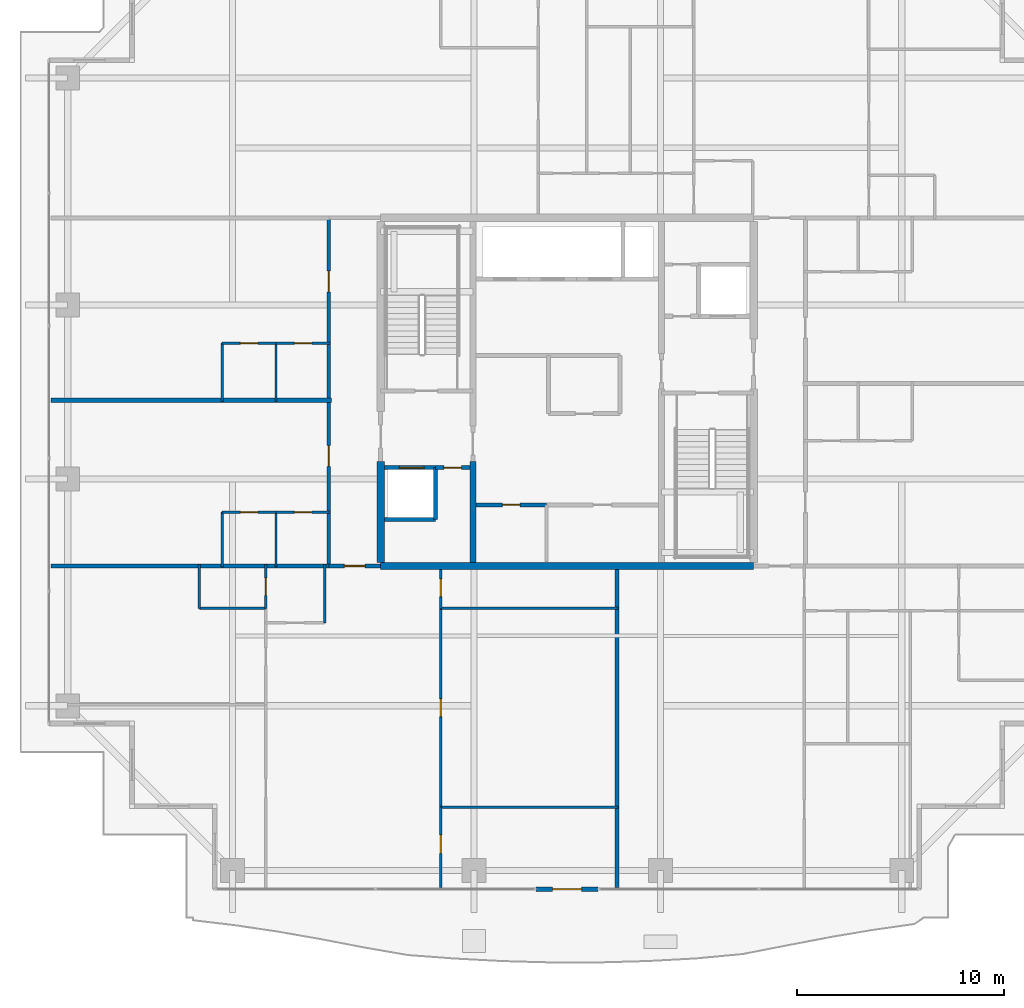
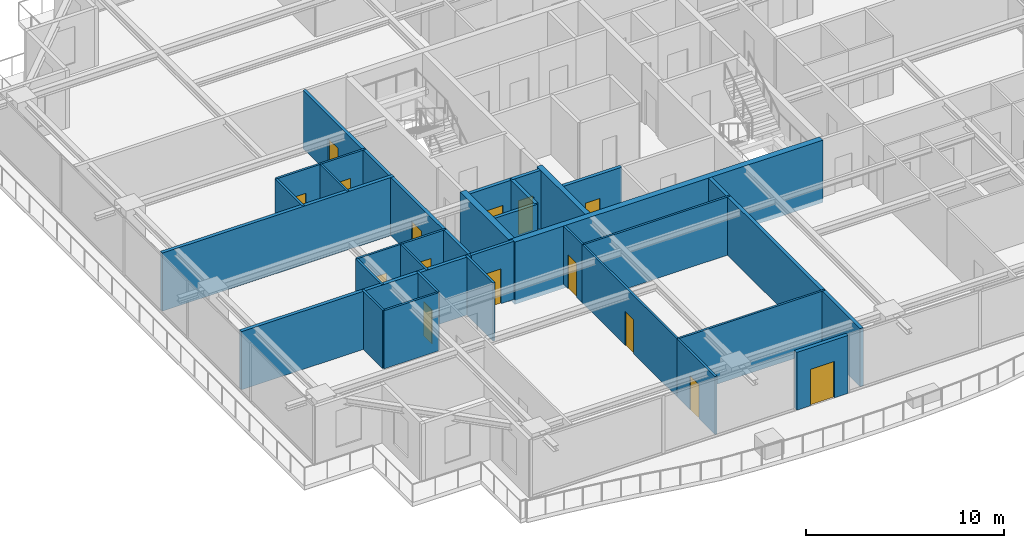
# One storey, part 26 of 37: 31 walls, 15 doors, 15 openings.
"""IFC4 building model written with IfcOpenShell, lengths in metres."""

from ifc_helpers import new_model, si_unit, direction, frame, frame_2d, origin, place, context, subcontext, project, spatial, rectangle, extrude, source, transform, mapped, material, layer, layer_set, type_object, element, fill, save


model = new_model("IFC4")

# Units and contexts
model_context = context("Model", 3, precision=1e-05, world=origin(), true_north=direction((0.0, 1.0)))
body_context = subcontext(model_context, "Body", "Model", "MODEL_VIEW")
ifc_project = project(units=[si_unit("LENGTHUNIT", "METRE"), si_unit("AREAUNIT", "SQUARE_METRE"), si_unit("VOLUMEUNIT", "CUBIC_METRE"), si_unit("PLANEANGLEUNIT", "RADIAN"), si_unit("MASSUNIT", "GRAM", prefix="KILO")], contexts=[model_context])

# Site, building, storey
site_placement = place(None, origin())
site = spatial("IfcSite", under=ifc_project, at=site_placement, CompositionType="ELEMENT")
building_placement = place(site_placement, origin())
building = spatial("IfcBuilding", under=site, at=building_placement, Name="Serunith Strait Residences", CompositionType="ELEMENT")
storey_placement = place(building_placement, frame((0.0, 0.0, 260.5)))
storey = spatial("IfcBuildingStorey", under=building, at=storey_placement, Name="L65", CompositionType="ELEMENT", Elevation=260.5)

# Wall, opening, door
ifc_material_1 = material(Name="Pale-Champagne Aluminium Insulated Panel", Category="aluminium")
ifc_layer_1 = layer(ifc_material_1, 0.219970703125, Name="Pale-Champagne Aluminium Insulated Panel")
ifc_layer_set_1 = layer_set([ifc_layer_1], Name="Pale-Champagne Aluminium Insulated Panel")
wall_type_1 = type_object("IfcWallType", Name="EW-ALUM-220", PredefinedType="ELEMENTEDWALL", material=ifc_layer_set_1)
wall_1_placement = place(storey_placement, frame((30.89990234375, 1.199951171875, 0.0), z_axis=(0.0, 0.0, 1.0), x_axis=(1.0, 0.0, 0.0)))
wall_1 = element("IfcWall", 1, at=wall_1_placement, inside=storey, type_object=wall_type_1, Name="L65 S Facade Pier Wall", PredefinedType="ELEMENTEDWALL", context=body_context, shape_type="SweptSolid", body=[
    extrude(rectangle(XDim=3.0, YDim=0.219970703125, at=frame_2d((1.5, 0.0))), origin(), (0.0, 0.0, 1.0), 3.574951171875),
])
opening_1_placement = place(wall_1_placement, frame((0.800048828125, 0.0, 0.0)))
opening_1 = element("IfcOpeningElement", 2, at=opening_1_placement, cuts=wall_1, Name="Opening ED-04", PredefinedType="OPENING", context=body_context, shape_type="SweptSolid", body=[
    extrude(rectangle(XDim=1.39990234375, YDim=2.25, at=frame_2d((0.699951171875, 1.125))), frame((0.0, 0.1201171875, 0.0), z_axis=(0.0, -1.0, 0.0), x_axis=(1.0, 0.0, 0.0)), (0.0, 0.0, 1.0), 0.239990234375),
])
ifc_material_2 = material(Name="Thermally-Broken Aluminium Sliding Balcony Door", Category="aluminium")
door_type_1 = type_object("IfcDoorType", Name="ED-BALC-1400", OperationType="NOTDEFINED", PredefinedType="DOOR", material=ifc_material_2)
shared_shape_1 = source(origin(), body_context, "Body", "SweptSolid", [
    extrude(rectangle(XDim=1.39990234375, YDim=2.25, at=frame_2d((0.699951171875, 1.125))), frame((0.0, 0.02490234375, 0.0), z_axis=(0.0, -1.0, 0.0), x_axis=(1.0, 0.0, 0.0)), (0.0, 0.0, 1.0), 0.050048828125),
])
door_1_placement = place(opening_1_placement, origin())
door_1 = element("IfcDoor", 3, at=door_1_placement, inside=storey, type_object=door_type_1, Name="L65 S Vertical-Forest Balcony Door", OperationType="SLIDING_TO_LEFT", OverallHeight=2.25, OverallWidth=1.39990234375, PredefinedType="DOOR", context=body_context, shape_type="MappedRepresentation", body=[
    mapped(shared_shape_1, transform((0.0, 0.0, 0.0), scale=1.0)),
])
fill(opening_1, door_1)

ifc_material_3 = material(Name="Fire-rated acoustic gypsum partition")
ifc_layer_2 = layer(ifc_material_3, 0.179931640625, Name="Fire-rated acoustic gypsum partition")
ifc_layer_set_2 = layer_set([ifc_layer_2], Name="Fire-rated acoustic gypsum partition")
wall_type_2 = type_object("IfcWallType", Name="IW-CORR-180", PredefinedType="PARTITIONING", material=ifc_layer_set_2)
wall_2_placement = place(storey_placement, frame((20.902099609375, 16.800048828125, 0.0), z_axis=(0.0, 0.0, 1.0), x_axis=(1.0, 0.0, 0.0)))
wall_2 = element("IfcWall", 4, at=wall_2_placement, inside=storey, type_object=wall_type_2, Name="L65 Partition Wall 026", PredefinedType="PARTITIONING", context=body_context, shape_type="SweptSolid", body=[
    extrude(rectangle(XDim=2.495849609375, YDim=0.179931640625, at=frame_2d((1.248046875, 0.0))), origin(), (0.0, 0.0, 1.0), 3.590087890625),
])
opening_2_placement = place(wall_2_placement, frame((0.748046875, 0.0, 0.0)))
opening_2 = element("IfcOpeningElement", 5, at=opening_2_placement, cuts=wall_2, Name="Opening D-APT1000", PredefinedType="OPENING", context=body_context, shape_type="SweptSolid", body=[
    extrude(rectangle(XDim=1.0, YDim=2.14990234375, at=frame_2d((0.5, 1.074951171875))), frame((0.0, 0.10009765625, 0.0), z_axis=(0.0, -1.0, 0.0), x_axis=(1.0, 0.0, 0.0)), (0.0, 0.0, 1.0), 0.199951171875),
])
ifc_material_4 = material(Name="Solid timber engineered fire door", Category="wood")
door_type_2 = type_object("IfcDoorType", Name="ID-APT-1000", OperationType="NOTDEFINED", PredefinedType="DOOR", material=ifc_material_4)
shared_shape_2 = source(origin(), body_context, "Body", "SweptSolid", [
    extrude(rectangle(XDim=1.0, YDim=2.14990234375, at=frame_2d((0.5, 1.074951171875))), frame((0.0, 0.02490234375, 0.0), z_axis=(0.0, -1.0, 0.0), x_axis=(1.0, 0.0, 0.0)), (0.0, 0.0, 1.0), 0.050048828125),
])
door_2_placement = place(opening_2_placement, origin())
door_2 = element("IfcDoor", 6, at=door_2_placement, inside=storey, type_object=door_type_2, Name="L65 Unit 01 Entrance Door", OperationType="SINGLE_SWING_RIGHT", OverallHeight=2.14990234375, OverallWidth=1.0, PredefinedType="DOOR", context=body_context, shape_type="MappedRepresentation", body=[
    mapped(shared_shape_2, transform((0.0, 0.0, 0.0), scale=1.0)),
])
fill(opening_2, door_2)

# Wall, openings, doors
wall_3_placement = place(storey_placement, frame((20.89990234375, 16.800048828125, 0.0), z_axis=(0.0, 0.0, 1.0), x_axis=(0.0, 1.0, 0.0)))
wall_3 = element("IfcWall", 7, at=wall_3_placement, inside=storey, type_object=wall_type_2, Name="L65 Partition Wall 028", PredefinedType="PARTITIONING", context=body_context, shape_type="SweptSolid", body=[
    extrude(rectangle(XDim=16.800048828125, YDim=0.179931640625, at=frame_2d((8.39990234375, 0.0))), origin(), (0.0, 0.0, 1.0), 3.590087890625),
])
opening_3_placement = place(wall_3_placement, frame((4.802978515625, 0.0, 0.0)))
opening_3 = element("IfcOpeningElement", 8, at=opening_3_placement, cuts=wall_3, Name="Opening D-APT1000", PredefinedType="OPENING", context=body_context, shape_type="SweptSolid", body=[
    extrude(rectangle(XDim=1.0, YDim=2.14990234375, at=frame_2d((0.5, 1.074951171875))), frame((0.0, 0.10009765625, 0.0), z_axis=(0.0, -1.0, 0.0), x_axis=(1.0, 0.0, 0.0)), (0.0, 0.0, 1.0), 0.199951171875),
])
opening_4_placement = place(wall_3_placement, frame((13.22509765625, 0.0, 0.0)))
opening_4 = element("IfcOpeningElement", 9, at=opening_4_placement, cuts=wall_3, Name="Opening D-APT1000", PredefinedType="OPENING", context=body_context, shape_type="SweptSolid", body=[
    extrude(rectangle(XDim=1.0, YDim=2.14990234375, at=frame_2d((0.5, 1.074951171875))), frame((0.0, 0.10009765625, 0.0), z_axis=(0.0, -1.0, 0.0), x_axis=(1.0, 0.0, 0.0)), (0.0, 0.0, 1.0), 0.199951171875),
])
door_3_placement = place(opening_3_placement, origin())
door_3 = element("IfcDoor", 10, at=door_3_placement, inside=storey, type_object=door_type_2, Name="L65 Unit 04 Entrance Door", OperationType="SINGLE_SWING_LEFT", OverallHeight=2.14990234375, OverallWidth=1.0, PredefinedType="DOOR", context=body_context, shape_type="MappedRepresentation", body=[
    mapped(shared_shape_2, transform((0.0, 0.0, 0.0), scale=1.0)),
])
fill(opening_3, door_3)
door_4_placement = place(opening_4_placement, origin())
door_4 = element("IfcDoor", 11, at=door_4_placement, inside=storey, type_object=door_type_2, Name="L65 Unit 05 Entrance Door", OperationType="SINGLE_SWING_RIGHT", OverallHeight=2.14990234375, OverallWidth=1.0, PredefinedType="DOOR", context=body_context, shape_type="MappedRepresentation", body=[
    mapped(shared_shape_2, transform((0.0, 0.0, 0.0), scale=1.0)),
])
fill(opening_4, door_4)

# Walls
ifc_material_5 = material(Name="Lightweight steel-stud gypsum partition", Category="steel")
ifc_layer_3 = layer(ifc_material_5, 0.1201171875, Name="Lightweight steel-stud gypsum partition")
ifc_layer_set_3 = layer_set([ifc_layer_3], Name="Lightweight steel-stud gypsum partition")
wall_type_3 = type_object("IfcWallType", Name="IW-PART-120", PredefinedType="PARTITIONING", material=ifc_layer_set_3)
wall_4_placement = place(storey_placement, frame((20.699951171875, 14.050048828125, 0.0), z_axis=(0.0, 0.0, 1.0), x_axis=(0.0, 1.0, 0.0)))
element("IfcWall", 12, at=wall_4_placement, inside=storey, type_object=wall_type_3, Name="L65 Partition Wall 033", PredefinedType="PARTITIONING", context=body_context, shape_type="SweptSolid", body=[
    extrude(rectangle(XDim=2.81005859375, YDim=0.1201171875, at=frame_2d((1.405029296875, 0.0))), origin(), (0.0, 0.0, 1.0), 3.590087890625),
])
wall_5_placement = place(storey_placement, frame((14.64990234375, 14.75, 0.0), z_axis=(0.0, 0.0, 1.0), x_axis=(1.0, 0.0, 0.0)))
element("IfcWall", 13, at=wall_5_placement, inside=storey, type_object=wall_type_3, Name="L65 Partition Wall 036", PredefinedType="PARTITIONING", context=body_context, shape_type="SweptSolid", body=[
    extrude(rectangle(XDim=3.2001953125, YDim=0.1201171875, at=frame_2d((1.60009765625, 0.0))), origin(), (0.0, 0.0, 1.0), 3.590087890625),
])
wall_6_placement = place(storey_placement, frame((14.64990234375, 14.75, 0.0), z_axis=(0.0, 0.0, 1.0), x_axis=(0.0, 1.0, 0.0)))
element("IfcWall", 14, at=wall_6_placement, inside=storey, type_object=wall_type_3, Name="L65 Partition Wall 037", PredefinedType="PARTITIONING", context=body_context, shape_type="SweptSolid", body=[
    extrude(rectangle(XDim=2.110107421875, YDim=0.1201171875, at=frame_2d((1.05517578125, 0.0))), origin(), (0.0, 0.0, 1.0), 3.590087890625),
])

# Wall, opening, door
wall_7_placement = place(storey_placement, frame((17.85009765625, 14.751953125, 0.0), z_axis=(0.0, 0.0, 1.0), x_axis=(0.0, 1.0, 0.0)))
wall_7 = element("IfcWall", 15, at=wall_7_placement, inside=storey, type_object=wall_type_3, Name="L65 Partition Wall 039", PredefinedType="PARTITIONING", context=body_context, shape_type="SweptSolid", body=[
    extrude(rectangle(XDim=2.108154296875, YDim=0.1201171875, at=frame_2d((1.05419921875, 0.0))), origin(), (0.0, 0.0, 1.0), 3.590087890625),
])
opening_5_placement = place(wall_7_placement, frame((0.62890625, 0.0, 0.0)))
opening_5 = element("IfcOpeningElement", 16, at=opening_5_placement, cuts=wall_7, Name="Opening D-BTH850", PredefinedType="OPENING", context=body_context, shape_type="SweptSolid", body=[
    extrude(rectangle(XDim=0.85009765625, YDim=2.10009765625, at=frame_2d((0.425048828125, 1.050048828125))), frame((0.0, 0.070068359375, 0.0), z_axis=(0.0, -1.0, 0.0), x_axis=(1.0, 0.0, 0.0)), (0.0, 0.0, 1.0), 0.14013671875),
])
ifc_material_6 = material(Name="Moisture-resistant timber bathroom door", Category="wood")
door_type_3 = type_object("IfcDoorType", Name="ID-BATH-850", OperationType="NOTDEFINED", PredefinedType="DOOR", material=ifc_material_6)
shared_shape_3 = source(origin(), body_context, "Body", "SweptSolid", [
    extrude(rectangle(XDim=0.85009765625, YDim=2.10009765625, at=frame_2d((0.425048828125, 1.050048828125))), frame((0.0, 0.02490234375, 0.0), z_axis=(0.0, -1.0, 0.0), x_axis=(1.0, 0.0, 0.0)), (0.0, 0.0, 1.0), 0.050048828125),
])
door_5_placement = place(opening_5_placement, origin())
door_5 = element("IfcDoor", 17, at=door_5_placement, inside=storey, type_object=door_type_3, Name="L65 Bathroom 6501 Door", OperationType="SINGLE_SWING_RIGHT", OverallHeight=2.10009765625, OverallWidth=0.85009765625, PredefinedType="DOOR", context=body_context, shape_type="MappedRepresentation", body=[
    mapped(shared_shape_3, transform((0.0, 0.0, 0.0), scale=1.0)),
])
fill(opening_5, door_5)

wall_8_placement = place(storey_placement, frame((26.300048828125, 1.294921875, 0.0), z_axis=(0.0, 0.0, 1.0), x_axis=(0.0, 1.0, 0.0)))
wall_8 = element("IfcWall", 18, at=wall_8_placement, inside=storey, type_object=wall_type_3, Name="L65 Partition Wall 040", PredefinedType="PARTITIONING", context=body_context, shape_type="SweptSolid", body=[
    extrude(rectangle(XDim=3.869140625, YDim=0.1201171875, at=frame_2d((1.9345703125, 0.0))), origin(), (0.0, 0.0, 1.0), 3.590087890625),
])
opening_6_placement = place(wall_8_placement, frame((1.633056640625, 0.0, 0.0)))
opening_6 = element("IfcOpeningElement", 19, at=opening_6_placement, cuts=wall_8, Name="Opening D-RM900", PredefinedType="OPENING", context=body_context, shape_type="SweptSolid", body=[
    extrude(rectangle(XDim=0.89990234375, YDim=2.10009765625, at=frame_2d((0.449951171875, 1.050048828125))), frame((0.0, 0.070068359375, 0.0), z_axis=(0.0, -1.0, 0.0), x_axis=(1.0, 0.0, 0.0)), (0.0, 0.0, 1.0), 0.14013671875),
])
ifc_material_7 = material(Name="Engineered timber flush bedroom door", Category="wood")
door_type_4 = type_object("IfcDoorType", Name="ID-ROOM-900", OperationType="NOTDEFINED", PredefinedType="DOOR", material=ifc_material_7)
shared_shape_4 = source(origin(), body_context, "Body", "SweptSolid", [
    extrude(rectangle(XDim=0.89990234375, YDim=2.10009765625, at=frame_2d((0.449951171875, 1.050048828125))), frame((0.0, 0.02490234375, 0.0), z_axis=(0.0, -1.0, 0.0), x_axis=(1.0, 0.0, 0.0)), (0.0, 0.0, 1.0), 0.050048828125),
])
door_6_placement = place(opening_6_placement, origin())
door_6 = element("IfcDoor", 20, at=door_6_placement, inside=storey, type_object=door_type_4, Name="L65 Bedroom 2 6501 Door", OperationType="SINGLE_SWING_LEFT", OverallHeight=2.10009765625, OverallWidth=0.89990234375, PredefinedType="DOOR", context=body_context, shape_type="MappedRepresentation", body=[
    mapped(shared_shape_4, transform((0.0, 0.0, 0.0), scale=1.0)),
])
fill(opening_6, door_6)

# Walls
for number, where, z_axis, x_axis, name in (
    (21, (26.300048828125, 5.1640625, 0.0), (0.0, 0.0, 1.0), (1.0, 0.0, 0.0), "L65 Partition Wall 041"),
    (22, (26.300048828125, 14.75, 0.0), (0.0, 0.0, 1.0), (1.0, 0.0, 0.0), "L65 Partition Wall 042"),
):
    element("IfcWall", number, at=place(storey_placement, frame(where, z_axis=z_axis, x_axis=x_axis)), inside=storey, type_object=wall_type_3, Name=name, PredefinedType="PARTITIONING", context=body_context, shape_type="SweptSolid", body=[
        extrude(rectangle(XDim=8.56005859375, YDim=0.1201171875, at=frame_2d((4.280029296875, 0.0))), origin(), (0.0, 0.0, 1.0), 3.590087890625),
    ])

# Wall, opening, door
wall_9_placement = place(storey_placement, frame((26.300048828125, 5.166015625, 0.0), z_axis=(0.0, 0.0, 1.0), x_axis=(0.0, 1.0, 0.0)))
wall_9 = element("IfcWall", 23, at=wall_9_placement, inside=storey, type_object=wall_type_3, Name="L65 Partition Wall 043", PredefinedType="PARTITIONING", context=body_context, shape_type="SweptSolid", body=[
    extrude(rectangle(XDim=9.583984375, YDim=0.1201171875, at=frame_2d((4.7919921875, 0.0))), origin(), (0.0, 0.0, 1.0), 3.590087890625),
])
opening_7_placement = place(wall_9_placement, frame((4.366943359375, 0.0, 0.0)))
opening_7 = element("IfcOpeningElement", 24, at=opening_7_placement, cuts=wall_9, Name="Opening D-RM850", PredefinedType="OPENING", context=body_context, shape_type="SweptSolid", body=[
    extrude(rectangle(XDim=0.85009765625, YDim=2.10009765625, at=frame_2d((0.425048828125, 1.050048828125))), frame((0.0, 0.070068359375, 0.0), z_axis=(0.0, -1.0, 0.0), x_axis=(1.0, 0.0, 0.0)), (0.0, 0.0, 1.0), 0.14013671875),
])
ifc_material_8 = material(Name="Engineered timber flush study and kitchen door", Category="wood")
door_type_5 = type_object("IfcDoorType", Name="ID-ROOM-850", OperationType="NOTDEFINED", PredefinedType="DOOR", material=ifc_material_8)
door_7_placement = place(opening_7_placement, origin())
door_7 = element("IfcDoor", 25, at=door_7_placement, inside=storey, type_object=door_type_5, Name="L65 Walk-in Wardrobe 6501 Door", OperationType="SINGLE_SWING_RIGHT", OverallHeight=2.10009765625, OverallWidth=0.85009765625, PredefinedType="DOOR", context=body_context, shape_type="MappedRepresentation", body=[
    mapped(shared_shape_3, transform((0.0, 0.0, 0.0), scale=1.0)),
])
fill(opening_7, door_7)

wall_10_placement = place(storey_placement, frame((26.300048828125, 14.751953125, 0.0), z_axis=(0.0, 0.0, 1.0), x_axis=(0.0, 1.0, 0.0)))
wall_10 = element("IfcWall", 26, at=wall_10_placement, inside=storey, type_object=wall_type_3, Name="L65 Partition Wall 044", PredefinedType="PARTITIONING", context=body_context, shape_type="SweptSolid", body=[
    extrude(rectangle(XDim=1.873046875, YDim=0.1201171875, at=frame_2d((0.9365234375, 0.0))), origin(), (0.0, 0.0, 1.0), 3.590087890625),
])
opening_8_placement = place(wall_10_placement, frame((0.574951171875, 0.0, 0.0)))
opening_8 = element("IfcOpeningElement", 27, at=opening_8_placement, cuts=wall_10, Name="Opening D-BTH850", PredefinedType="OPENING", context=body_context, shape_type="SweptSolid", body=[
    extrude(rectangle(XDim=0.85009765625, YDim=2.10009765625, at=frame_2d((0.425048828125, 1.050048828125))), frame((0.0, 0.070068359375, 0.0), z_axis=(0.0, -1.0, 0.0), x_axis=(1.0, 0.0, 0.0)), (0.0, 0.0, 1.0), 0.14013671875),
])
door_8_placement = place(opening_8_placement, origin())
door_8 = element("IfcDoor", 28, at=door_8_placement, inside=storey, type_object=door_type_3, Name="L65 Bathroom 6501 Door", OperationType="SINGLE_SWING_LEFT", OverallHeight=2.10009765625, OverallWidth=0.85009765625, PredefinedType="DOOR", context=body_context, shape_type="MappedRepresentation", body=[
    mapped(shared_shape_3, transform((0.0, 0.0, 0.0), scale=1.0)),
])
fill(opening_8, door_8)

wall_11_placement = place(storey_placement, frame((15.75, 19.39990234375, 0.0), z_axis=(0.0, 0.0, 1.0), x_axis=(1.0, 0.0, 0.0)))
wall_11 = element("IfcWall", 29, at=wall_11_placement, inside=storey, type_object=wall_type_3, Name="L65 Partition Wall 082", PredefinedType="PARTITIONING", context=body_context, shape_type="SweptSolid", body=[
    extrude(rectangle(XDim=2.60009765625, YDim=0.1201171875, at=frame_2d((1.300048828125, 0.0))), origin(), (0.0, 0.0, 1.0), 3.590087890625),
])
opening_9_placement = place(wall_11_placement, frame((0.875, 0.0, 0.0)))
opening_9 = element("IfcOpeningElement", 30, at=opening_9_placement, cuts=wall_11, Name="Opening D-RM850", PredefinedType="OPENING", context=body_context, shape_type="SweptSolid", body=[
    extrude(rectangle(XDim=0.85009765625, YDim=2.10009765625, at=frame_2d((0.425048828125, 1.050048828125))), frame((0.0, 0.070068359375, 0.0), z_axis=(0.0, -1.0, 0.0), x_axis=(1.0, 0.0, 0.0)), (0.0, 0.0, 1.0), 0.14013671875),
])
door_9_placement = place(opening_9_placement, origin())
door_9 = element("IfcDoor", 31, at=door_9_placement, inside=storey, type_object=door_type_5, Name="L65 Kitchen 6504 Door", OperationType="SINGLE_SWING_RIGHT", OverallHeight=2.10009765625, OverallWidth=0.85009765625, PredefinedType="DOOR", context=body_context, shape_type="MappedRepresentation", body=[
    mapped(shared_shape_3, transform((0.0, 0.0, 0.0), scale=1.0)),
])
fill(opening_9, door_9)

wall_12_placement = place(storey_placement, frame((18.35205078125, 19.39990234375, 0.0), z_axis=(0.0, 0.0, 1.0), x_axis=(1.0, 0.0, 0.0)))
wall_12 = element("IfcWall", 32, at=wall_12_placement, inside=storey, type_object=wall_type_3, Name="L65 Partition Wall 083", PredefinedType="PARTITIONING", context=body_context, shape_type="SweptSolid", body=[
    extrude(rectangle(XDim=2.60791015625, YDim=0.1201171875, at=frame_2d((1.303955078125, 0.0))), origin(), (0.0, 0.0, 1.0), 3.590087890625),
])
opening_10_placement = place(wall_12_placement, frame((0.87890625, 0.0, 0.0)))
opening_10 = element("IfcOpeningElement", 33, at=opening_10_placement, cuts=wall_12, Name="Opening D-BTH850", PredefinedType="OPENING", context=body_context, shape_type="SweptSolid", body=[
    extrude(rectangle(XDim=0.85009765625, YDim=2.10009765625, at=frame_2d((0.425048828125, 1.050048828125))), frame((0.0, 0.070068359375, 0.0), z_axis=(0.0, -1.0, 0.0), x_axis=(1.0, 0.0, 0.0)), (0.0, 0.0, 1.0), 0.14013671875),
])
door_10_placement = place(opening_10_placement, origin())
door_10 = element("IfcDoor", 34, at=door_10_placement, inside=storey, type_object=door_type_3, Name="L65 Bathroom 6504 Door", OperationType="SINGLE_SWING_LEFT", OverallHeight=2.10009765625, OverallWidth=0.85009765625, PredefinedType="DOOR", context=body_context, shape_type="MappedRepresentation", body=[
    mapped(shared_shape_3, transform((0.0, 0.0, 0.0), scale=1.0)),
])
fill(opening_10, door_10)

# Walls
for number, where, z_axis, x_axis, name in (
    (35, (18.35009765625, 16.739990234375, 0.0), (0.0, 0.0, 1.0), (0.0, 1.0, 0.0), "L65 Partition Wall 084"),
    (36, (15.75, 16.739990234375, 0.0), (0.0, 0.0, 1.0), (0.0, 1.0, 0.0), "L65 Partition Wall 085"),
):
    element("IfcWall", number, at=place(storey_placement, frame(where, z_axis=z_axis, x_axis=x_axis)), inside=storey, type_object=wall_type_3, Name=name, PredefinedType="PARTITIONING", context=body_context, shape_type="SweptSolid", body=[
        extrude(rectangle(XDim=2.659912109375, YDim=0.1201171875, at=frame_2d((1.330078125, 0.0))), origin(), (0.0, 0.0, 1.0), 3.590087890625),
    ])

# Wall, opening, door
wall_13_placement = place(storey_placement, frame((15.75, 27.550048828125, 0.0), z_axis=(0.0, 0.0, 1.0), x_axis=(1.0, 0.0, 0.0)))
wall_13 = element("IfcWall", 37, at=wall_13_placement, inside=storey, type_object=wall_type_3, Name="L65 Partition Wall 086", PredefinedType="PARTITIONING", context=body_context, shape_type="SweptSolid", body=[
    extrude(rectangle(XDim=2.60009765625, YDim=0.1201171875, at=frame_2d((1.300048828125, 0.0))), origin(), (0.0, 0.0, 1.0), 3.590087890625),
])
opening_11_placement = place(wall_13_placement, frame((0.875, 0.0, 0.0)))
opening_11 = element("IfcOpeningElement", 38, at=opening_11_placement, cuts=wall_13, Name="Opening D-RM850", PredefinedType="OPENING", context=body_context, shape_type="SweptSolid", body=[
    extrude(rectangle(XDim=0.85009765625, YDim=2.10009765625, at=frame_2d((0.425048828125, 1.050048828125))), frame((0.0, 0.070068359375, 0.0), z_axis=(0.0, -1.0, 0.0), x_axis=(1.0, 0.0, 0.0)), (0.0, 0.0, 1.0), 0.14013671875),
])
door_11_placement = place(opening_11_placement, origin())
door_11 = element("IfcDoor", 39, at=door_11_placement, inside=storey, type_object=door_type_5, Name="L65 Kitchen 6505 Door", OperationType="SINGLE_SWING_RIGHT", OverallHeight=2.10009765625, OverallWidth=0.85009765625, PredefinedType="DOOR", context=body_context, shape_type="MappedRepresentation", body=[
    mapped(shared_shape_3, transform((0.0, 0.0, 0.0), scale=1.0)),
])
fill(opening_11, door_11)

wall_14_placement = place(storey_placement, frame((18.35205078125, 27.550048828125, 0.0), z_axis=(0.0, 0.0, 1.0), x_axis=(1.0, 0.0, 0.0)))
wall_14 = element("IfcWall", 40, at=wall_14_placement, inside=storey, type_object=wall_type_3, Name="L65 Partition Wall 087", PredefinedType="PARTITIONING", context=body_context, shape_type="SweptSolid", body=[
    extrude(rectangle(XDim=2.60791015625, YDim=0.1201171875, at=frame_2d((1.303955078125, 0.0))), origin(), (0.0, 0.0, 1.0), 3.590087890625),
])
opening_12_placement = place(wall_14_placement, frame((0.87890625, 0.0, 0.0)))
opening_12 = element("IfcOpeningElement", 41, at=opening_12_placement, cuts=wall_14, Name="Opening D-BTH850", PredefinedType="OPENING", context=body_context, shape_type="SweptSolid", body=[
    extrude(rectangle(XDim=0.85009765625, YDim=2.10009765625, at=frame_2d((0.425048828125, 1.050048828125))), frame((0.0, 0.070068359375, 0.0), z_axis=(0.0, -1.0, 0.0), x_axis=(1.0, 0.0, 0.0)), (0.0, 0.0, 1.0), 0.14013671875),
])
door_12_placement = place(opening_12_placement, origin())
door_12 = element("IfcDoor", 42, at=door_12_placement, inside=storey, type_object=door_type_3, Name="L65 Bathroom 6505 Door", OperationType="SINGLE_SWING_LEFT", OverallHeight=2.10009765625, OverallWidth=0.85009765625, PredefinedType="DOOR", context=body_context, shape_type="MappedRepresentation", body=[
    mapped(shared_shape_3, transform((0.0, 0.0, 0.0), scale=1.0)),
])
fill(opening_12, door_12)

# Walls
for number, where, z_axis, x_axis, name in (
    (43, (18.35009765625, 24.739990234375, 0.0), (0.0, 0.0, 1.0), (0.0, 1.0, 0.0), "L65 Partition Wall 088"),
    (44, (15.75, 24.739990234375, 0.0), (0.0, 0.0, 1.0), (0.0, 1.0, 0.0), "L65 Partition Wall 089"),
):
    element("IfcWall", number, at=place(storey_placement, frame(where, z_axis=z_axis, x_axis=x_axis)), inside=storey, type_object=wall_type_3, Name=name, PredefinedType="PARTITIONING", context=body_context, shape_type="SweptSolid", body=[
        extrude(rectangle(XDim=2.81005859375, YDim=0.1201171875, at=frame_2d((1.405029296875, 0.0))), origin(), (0.0, 0.0, 1.0), 3.590087890625),
    ])
ifc_material_9 = material(Name="Twin-stud acoustic gypsum board partition")
ifc_layer_4 = layer(ifc_material_9, 0.199951171875, Name="Twin-stud acoustic gypsum board partition")
ifc_layer_set_4 = layer_set([ifc_layer_4], Name="Twin-stud acoustic gypsum board partition")
wall_type_4 = type_object("IfcWallType", Name="IW-PARTY-200", PredefinedType="PARTITIONING", material=ifc_layer_set_4)
wall_15_placement = place(storey_placement, frame((34.800048828125, 1.281982421875, 0.0), z_axis=(0.0, 0.0, 1.0), x_axis=(0.0, 1.0, 0.0)))
element("IfcWall", 45, at=wall_15_placement, inside=storey, type_object=wall_type_4, Name="L65 Partition Wall 019", PredefinedType="PARTITIONING", context=body_context, shape_type="SweptSolid", body=[
    extrude(rectangle(XDim=15.343017578125, YDim=0.199951171875, at=frame_2d((7.67138671875, 0.0))), origin(), (0.0, 0.0, 1.0), 3.590087890625),
])
wall_16_placement = place(storey_placement, frame((7.48193359375, 24.800048828125, 0.0), z_axis=(0.0, 0.0, 1.0), x_axis=(1.0, 0.0, 0.0)))
element("IfcWall", 46, at=wall_16_placement, inside=storey, type_object=wall_type_4, Name="L65 Partition Wall 020", PredefinedType="PARTITIONING", context=body_context, shape_type="SweptSolid", body=[
    extrude(rectangle(XDim=13.5380859375, YDim=0.199951171875, at=frame_2d((6.76904296875, 0.0))), origin(), (0.0, 0.0, 1.0), 3.590087890625),
])
wall_17_placement = place(storey_placement, frame((7.48193359375, 16.800048828125, 0.0), z_axis=(0.0, 0.0, 1.0), x_axis=(1.0, 0.0, 0.0)))
element("IfcWall", 47, at=wall_17_placement, inside=storey, type_object=wall_type_4, Name="L65 Partition Wall 022", PredefinedType="PARTITIONING", context=body_context, shape_type="SweptSolid", body=[
    extrude(rectangle(XDim=13.41796875, YDim=0.199951171875, at=frame_2d((6.708984375, 0.0))), origin(), (0.0, 0.0, 1.0), 3.590087890625),
])

# Wall, opening, door
ifc_material_10 = material(Name="Autoclaved aerated concrete blockwork", Category="masonry")
ifc_layer_5 = layer(ifc_material_10, 0.199951171875, Name="Autoclaved aerated concrete blockwork")
ifc_layer_set_5 = layer_set([ifc_layer_5], Name="Autoclaved aerated concrete blockwork")
wall_type_5 = type_object("IfcWallType", Name="IW-SHAFT-200", PredefinedType="STANDARD", material=ifc_layer_set_5)
wall_18_placement = place(storey_placement, frame((23.574951171875, 21.550048828125, 0.0), z_axis=(0.0, 0.0, 1.0), x_axis=(1.0, 0.0, 0.0)))
wall_18 = element("IfcWall", 48, at=wall_18_placement, inside=storey, type_object=wall_type_5, Name="L65 FL-1 North Shaft Wall", PredefinedType="STANDARD", context=body_context, shape_type="SweptSolid", body=[
    extrude(rectangle(XDim=2.47509765625, YDim=0.199951171875, at=frame_2d((1.237548828125, 0.0))), origin(), (0.0, 0.0, 1.0), 3.590087890625),
])
opening_13_placement = place(wall_18_placement, frame((0.72509765625, 0.0, 0.0)))
opening_13 = element("IfcOpeningElement", 49, at=opening_13_placement, cuts=wall_18, Name="Opening LD-FF1200", PredefinedType="OPENING", context=body_context, shape_type="SweptSolid", body=[
    extrude(rectangle(XDim=1.199951171875, YDim=2.199951171875, at=frame_2d((0.60009765625, 1.10009765625))), frame((0.0, 0.10986328125, 0.0), z_axis=(0.0, -1.0, 0.0), x_axis=(1.0, 0.0, 0.0)), (0.0, 0.0, 1.0), 0.219970703125),
])
ifc_material_11 = material(Name="Brushed stainless steel landing door", Category="steel")
door_type_6 = type_object("IfcDoorType", Name="LD-FF-1200", OperationType="DOUBLE_DOOR_SLIDING", PredefinedType="DOOR", material=ifc_material_11)
shared_shape_5 = source(origin(), body_context, "Body", "SweptSolid", [
    extrude(rectangle(XDim=1.199951171875, YDim=2.199951171875, at=frame_2d((0.60009765625, 1.10009765625))), frame((0.0, 0.02490234375, 0.0), z_axis=(0.0, -1.0, 0.0), x_axis=(1.0, 0.0, 0.0)), (0.0, 0.0, 1.0), 0.050048828125),
])
door_13_placement = place(opening_13_placement, origin())
door_13 = element("IfcDoor", 50, at=door_13_placement, inside=storey, type_object=door_type_6, Name="L65 FL-1 Landing Door", OperationType="DOUBLE_DOOR_SLIDING", OverallHeight=2.199951171875, OverallWidth=1.199951171875, PredefinedType="DOOR", context=body_context, shape_type="MappedRepresentation", body=[
    mapped(shared_shape_5, transform((0.0, 0.0, 0.0), scale=1.0)),
])
fill(opening_13, door_13)

# Walls
wall_19_placement = place(storey_placement, frame((26.050048828125, 19.050048828125, 0.0), z_axis=(0.0, 0.0, 1.0), x_axis=(0.0, 1.0, 0.0)))
element("IfcWall", 51, at=wall_19_placement, inside=storey, type_object=wall_type_5, Name="L65 Partition Wall 001", PredefinedType="STANDARD", context=body_context, shape_type="SweptSolid", body=[
    extrude(rectangle(XDim=2.5, YDim=0.199951171875, at=frame_2d((1.25, 0.0))), origin(), (0.0, 0.0, 1.0), 3.590087890625),
])
wall_20_placement = place(storey_placement, frame((23.574951171875, 19.050048828125, 0.0), z_axis=(0.0, 0.0, 1.0), x_axis=(1.0, 0.0, 0.0)))
element("IfcWall", 52, at=wall_20_placement, inside=storey, type_object=wall_type_5, Name="L65 Partition Wall 002", PredefinedType="STANDARD", context=body_context, shape_type="SweptSolid", body=[
    extrude(rectangle(XDim=2.47509765625, YDim=0.199951171875, at=frame_2d((1.237548828125, 0.0))), origin(), (0.0, 0.0, 1.0), 3.590087890625),
])

# Wall, opening, door
wall_21_placement = place(storey_placement, frame((26.052001953125, 21.550048828125, 0.0), z_axis=(0.0, 0.0, 1.0), x_axis=(1.0, 0.0, 0.0)))
wall_21 = element("IfcWall", 53, at=wall_21_placement, inside=storey, type_object=wall_type_5, Name="L65 Partition Wall 003", PredefinedType="STANDARD", context=body_context, shape_type="SweptSolid", body=[
    extrude(rectangle(XDim=1.64794921875, YDim=0.199951171875, at=frame_2d((0.823974609375, 0.0))), origin(), (0.0, 0.0, 1.0), 3.590087890625),
])
opening_14_placement = place(wall_21_placement, frame((0.39892578125, 0.0, 0.0)))
opening_14 = element("IfcOpeningElement", 54, at=opening_14_placement, cuts=wall_21, Name="Opening FD-850", PredefinedType="OPENING", context=body_context, shape_type="SweptSolid", body=[
    extrude(rectangle(XDim=0.85009765625, YDim=2.10009765625, at=frame_2d((0.425048828125, 1.050048828125))), frame((0.0, 0.10986328125, 0.0), z_axis=(0.0, -1.0, 0.0), x_axis=(1.0, 0.0, 0.0)), (0.0, 0.0, 1.0), 0.219970703125),
])
ifc_material_12 = material(Name="Powder-coated steel service closet door", Category="steel")
door_type_7 = type_object("IfcDoorType", Name="FD-BOH-850", OperationType="NOTDEFINED", PredefinedType="DOOR", material=ifc_material_12)
door_14_placement = place(opening_14_placement, origin())
door_14 = element("IfcDoor", 55, at=door_14_placement, inside=storey, type_object=door_type_7, Name="L65 South-West Core Service Door", OperationType="SINGLE_SWING_RIGHT", OverallHeight=2.10009765625, OverallWidth=0.85009765625, PredefinedType="DOOR", context=body_context, shape_type="MappedRepresentation", body=[
    mapped(shared_shape_3, transform((0.0, 0.0, 0.0), scale=1.0)),
])
fill(opening_14, door_14)

wall_22_placement = place(storey_placement, frame((28.0, 19.75, 0.0), z_axis=(0.0, 0.0, 1.0), x_axis=(1.0, 0.0, 0.0)))
wall_22 = element("IfcWall", 56, at=wall_22_placement, inside=storey, type_object=wall_type_5, Name="L65 Partition Wall 012", PredefinedType="STANDARD", context=body_context, shape_type="SweptSolid", body=[
    extrude(rectangle(XDim=3.39990234375, YDim=0.199951171875, at=frame_2d((1.699951171875, 0.0))), origin(), (0.0, 0.0, 1.0), 3.590087890625),
])
opening_15_placement = place(wall_22_placement, frame((1.27490234375, 0.0, 0.0)))
opening_15 = element("IfcOpeningElement", 57, at=opening_15_placement, cuts=wall_22, Name="Opening FD-850", PredefinedType="OPENING", context=body_context, shape_type="SweptSolid", body=[
    extrude(rectangle(XDim=0.85009765625, YDim=2.10009765625, at=frame_2d((0.425048828125, 1.050048828125))), frame((0.0, 0.10986328125, 0.0), z_axis=(0.0, -1.0, 0.0), x_axis=(1.0, 0.0, 0.0)), (0.0, 0.0, 1.0), 0.219970703125),
])
door_15_placement = place(opening_15_placement, origin())
door_15 = element("IfcDoor", 58, at=door_15_placement, inside=storey, type_object=door_type_7, Name="L65 Booster Pump Door", OperationType="SINGLE_SWING_LEFT", OverallHeight=2.10009765625, OverallWidth=0.85009765625, PredefinedType="DOOR", context=body_context, shape_type="MappedRepresentation", body=[
    mapped(shared_shape_3, transform((0.0, 0.0, 0.0), scale=1.0)),
])
fill(opening_15, door_15)

# Walls
ifc_material_13 = material(Name="Concrete C60/75", Category="concrete")
ifc_layer_6 = layer(ifc_material_13, 0.300048828125, Name="Concrete C60/75")
ifc_layer_set_6 = layer_set([ifc_layer_6], Name="Concrete C60/75")
wall_type_6 = type_object("IfcWallType", Name="SW-300-C60", PredefinedType="SHEAR", material=ifc_layer_set_6)
wall_23_placement = place(storey_placement, frame((27.85009765625, 16.97509765625, -0.260009765625), z_axis=(0.0, 0.0, 1.0), x_axis=(0.0, 1.0, 0.0)))
element("IfcWall", 59, at=wall_23_placement, inside=storey, type_object=wall_type_6, Name="L65 Core Internal West Web South Pier", PredefinedType="SHEAR", context=body_context, shape_type="SweptSolid", body=[
    extrude(rectangle(XDim=4.875, YDim=0.300048828125, at=frame_2d((2.4375, 0.0))), origin(), (0.0, 0.0, 1.0), 3.847900390625),
])
ifc_layer_7 = layer(ifc_material_13, 0.35009765625, Name="Concrete C60/75")
ifc_layer_set_7 = layer_set([ifc_layer_7], Name="Concrete C60/75")
wall_type_7 = type_object("IfcWallType", Name="SW-350-C60", PredefinedType="SHEAR", material=ifc_layer_set_7)
wall_24_placement = place(storey_placement, frame((23.39990234375, 16.800048828125, -0.260009765625), z_axis=(0.0, 0.0, 1.0), x_axis=(1.0, 0.0, 0.0)))
element("IfcWall", 60, at=wall_24_placement, inside=storey, type_object=wall_type_7, Name="L65 Core South Shear Wall", PredefinedType="SHEAR", context=body_context, shape_type="SweptSolid", body=[
    extrude(rectangle(XDim=18.0, YDim=0.35009765625, at=frame_2d((9.0, 0.0))), origin(), (0.0, 0.0, 1.0), 3.847900390625),
])
wall_25_placement = place(storey_placement, frame((23.39990234375, 16.97509765625, -0.260009765625), z_axis=(0.0, 0.0, 1.0), x_axis=(0.0, 1.0, 0.0)))
element("IfcWall", 61, at=wall_25_placement, inside=storey, type_object=wall_type_7, Name="L65 Core West Shear Wall South Pier", PredefinedType="SHEAR", context=body_context, shape_type="SweptSolid", body=[
    extrude(rectangle(XDim=4.875, YDim=0.35009765625, at=frame_2d((2.4375, 0.0))), origin(), (0.0, 0.0, 1.0), 3.847900390625),
])

save(model, "model.ifc")
